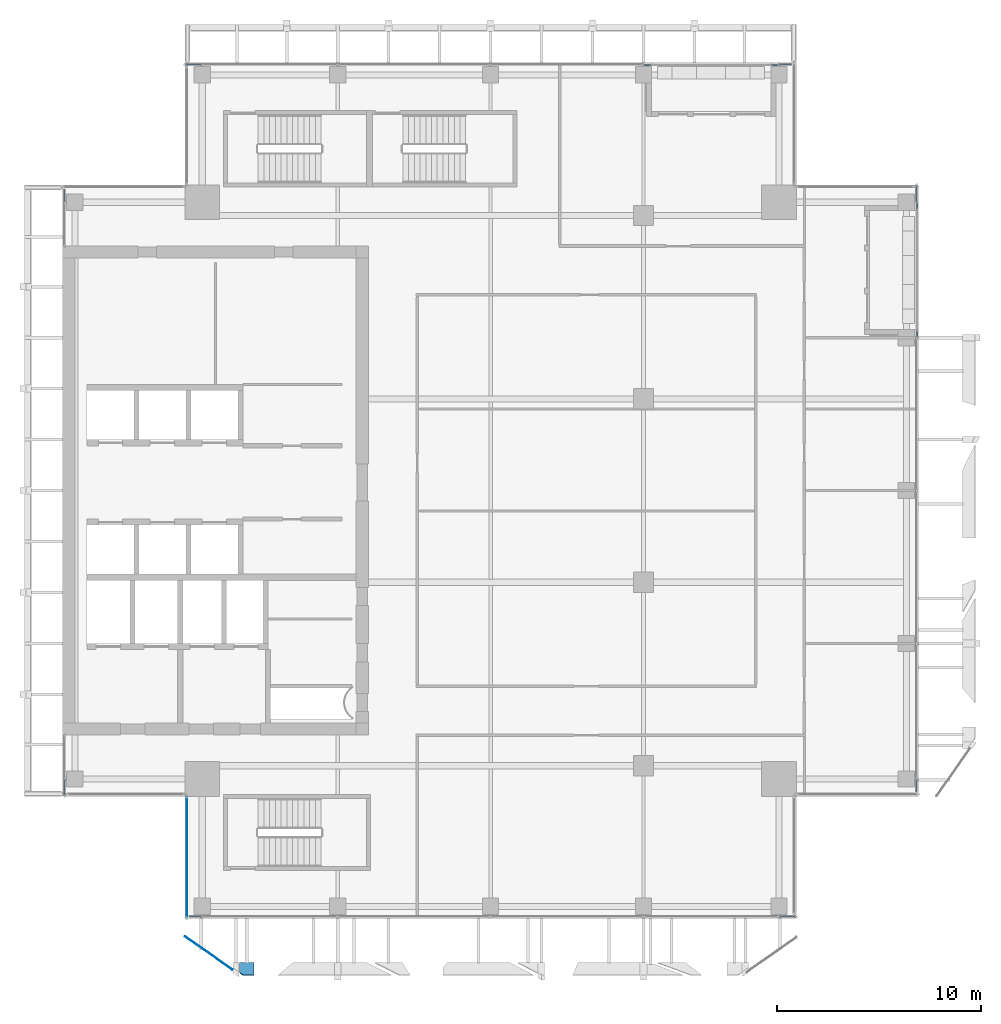
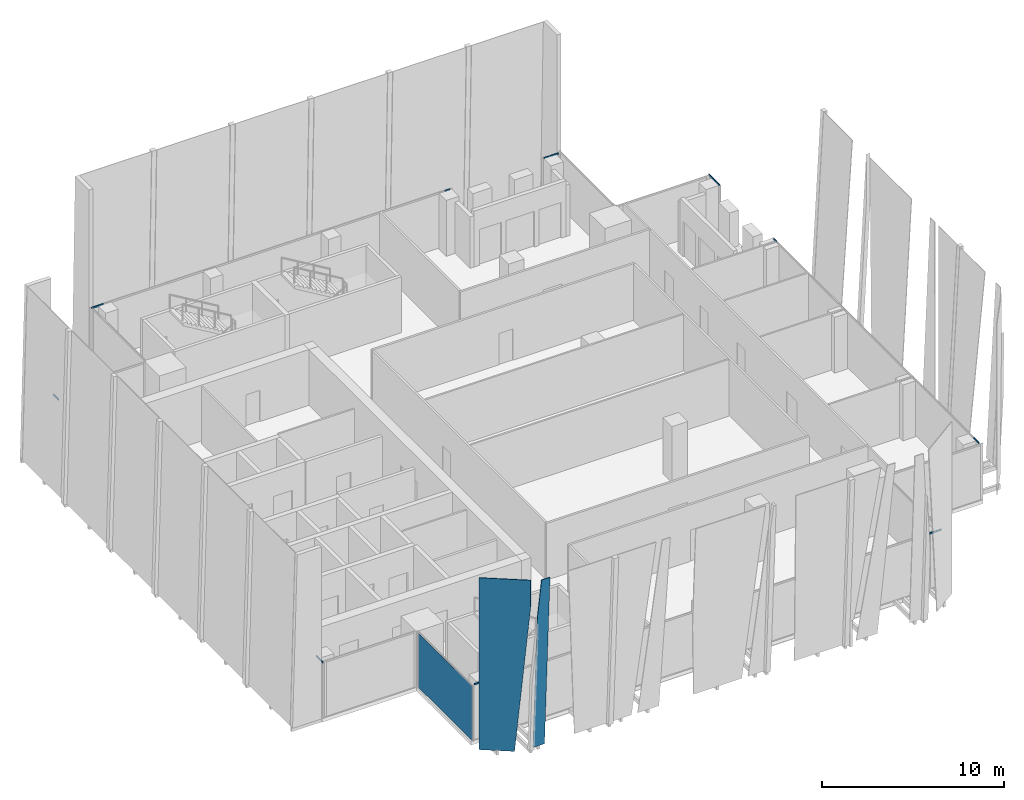
# One storey, part 20 of 32: 12 members, 3 plates, 8 elements without a shape of their own.
"""IFC4 building model written with IfcOpenShell, lengths in metres."""

import ifcopenshell
import ifcopenshell.guid

model = None  # the IFC model being written
_history = None  # IfcOwnerHistory: only IFC2X3 demands one
_inside = {}  # id of a spatial element -> (the spatial element, [elements in it])
_under = {}  # id of a project, library or spatial element -> (it, [spatial elements below it])
_declared = {}  # id of a project -> (the project, [libraries it declares])
_typed = {}  # id of a type object -> (the type object, [elements of that type])
_made_of = {}  # id of a material, layer set ... -> (it, [elements and type objects made of it])


def new_model(schema):
    """Start an empty IFC model of exactly this schema.

    Asked for "IFC4X3", IfcOpenShell would pick the latest addendum, in which some entities
    have other attributes; the version numbers below select the first issue.
    IFC2X3 requires an IfcOwnerHistory on every rooted entity: one is made here for all.
    """
    global model, _history
    if schema == "IFC4X3":
        model = ifcopenshell.file(schema_version=(4, 3, 0, 0))
    else:
        model = ifcopenshell.file(schema=schema)
    _inside.clear()
    _under.clear()
    _declared.clear()
    _typed.clear()
    _made_of.clear()
    _history = None
    if model.schema == "IFC2X3":
        org = make("IfcOrganization", Name="unknown")
        user = make(
            "IfcPersonAndOrganization",
            ThePerson=make("IfcPerson", FamilyName="unknown"),
            TheOrganization=org,
        )
        app = make(
            "IfcApplication",
            ApplicationDeveloper=org,
            Version="unknown",
            ApplicationFullName="unknown",
            ApplicationIdentifier="unknown",
        )
        _history = make(
            "IfcOwnerHistory",
            OwningUser=user,
            OwningApplication=app,
            ChangeAction="ADDED",
            CreationDate=0,
        )
    return model


def make(cls, **values):
    """One entity of the class cls with the attributes given. An attribute that is None is left unset."""
    return model.create_entity(
        cls, **{name: value for name, value in values.items() if value is not None}
    )


def rooted(cls, **values):
    """An entity with a GlobalId (a new one), such as an element, a storey or a relation."""
    return make(cls, GlobalId=ifcopenshell.guid.new(), OwnerHistory=_history, **values)


def si_unit(unit_type, name, prefix=None):
    """IfcSIUnit, for example si_unit("LENGTHUNIT", "METRE", prefix="MILLI")."""
    return make("IfcSIUnit", UnitType=unit_type, Prefix=prefix, Name=name)


def assignment(units):
    """IfcUnitAssignment: the units of a project."""
    return None if units is None else make("IfcUnitAssignment", Units=units)


def point(xyz):
    """IfcCartesianPoint."""
    return None if xyz is None else make("IfcCartesianPoint", Coordinates=xyz)


def direction(xyz):
    """IfcDirection."""
    return None if xyz is None else make("IfcDirection", DirectionRatios=xyz)


def frame(location, z_axis=None, x_axis=None):
    """IfcAxis2Placement3D, a coordinate frame: its origin and axes. An axis left out is left unset."""
    return make(
        "IfcAxis2Placement3D",
        Location=point(location),
        Axis=direction(z_axis),
        RefDirection=direction(x_axis),
    )


def frame_2d(location, x_axis=None):
    """IfcAxis2Placement2D, a coordinate frame in the plane: its origin and x axis."""
    return make(
        "IfcAxis2Placement2D", Location=point(location), RefDirection=direction(x_axis)
    )


def origin():
    """The frame at (0, 0, 0) with its axes left unset."""
    return frame((0.0, 0.0, 0.0))


def origin_2d():
    """The frame at (0, 0) in the plane with its x axis left unset."""
    return frame_2d((0.0, 0.0))


def place(relative_to, where):
    """IfcLocalPlacement: puts the frame where relative to a parent placement (None: the world)."""
    return make(
        "IfcLocalPlacement", PlacementRelTo=relative_to, RelativePlacement=where
    )


def context(
    kind, dimensions, precision=None, world=None, true_north=None, identifier=None
):
    """IfcGeometricRepresentationContext, for example the 3D "Model" context."""
    return make(
        "IfcGeometricRepresentationContext",
        ContextIdentifier=identifier,
        ContextType=kind,
        CoordinateSpaceDimension=dimensions,
        Precision=precision,
        WorldCoordinateSystem=world,
        TrueNorth=true_north,
    )


def subcontext(parent, identifier, kind, view, scale=None):
    """IfcGeometricRepresentationSubContext, for example "Body" below "Model"."""
    return make(
        "IfcGeometricRepresentationSubContext",
        ContextIdentifier=identifier,
        ContextType=kind,
        ParentContext=parent,
        TargetScale=scale,
        TargetView=view,
    )


def project(units=None, contexts=None):
    """IfcProject with its units and contexts."""
    return rooted(
        "IfcProject",
        Name="project",
        RepresentationContexts=contexts,
        UnitsInContext=assignment(units),
    )


def spatial(cls, under=None, at=None, **own):
    """A site, building, storey or space (cls), placed at a placement, below another one or the project."""
    s = rooted(cls, ObjectPlacement=at, **own)
    if under is not None:
        _under.setdefault(under.id(), (under, []))[1].append(s)
    return s


def polyline(points):
    """IfcPolyline through the points."""
    return make("IfcPolyline", Points=[point(p) for p in points])


def profile(cls, at=None, kind="AREA", **sizes):
    """A parametric profile (cls). Its sizes go by their IFC names, for example OverallWidth=200.0."""
    return make(cls, ProfileType=kind, Position=at, **sizes)


def rectangle(**sizes):
    """IfcRectangleProfileDef."""
    return profile("IfcRectangleProfileDef", **sizes)


def hollow_rectangle(**sizes):
    """IfcRectangleHollowProfileDef."""
    return profile("IfcRectangleHollowProfileDef", **sizes)


def outline(outer, holes=None, kind="AREA"):
    """IfcArbitraryClosedProfileDef: a profile drawn as a closed curve; with holes, ...WithVoids."""
    if holes is None:
        return make("IfcArbitraryClosedProfileDef", ProfileType=kind, OuterCurve=outer)
    return make(
        "IfcArbitraryProfileDefWithVoids",
        ProfileType=kind,
        OuterCurve=outer,
        InnerCurves=holes,
    )


def extrude(swept, where, along, depth):
    """IfcExtrudedAreaSolid: the profile swept, set in the frame where, extruded along a direction by depth."""
    return make(
        "IfcExtrudedAreaSolid",
        SweptArea=swept,
        Position=where,
        ExtrudedDirection=direction(along),
        Depth=depth,
    )


def shape(context_of_items, identifier, shape_type, items):
    """IfcShapeRepresentation: the items that make up one representation, for example the "Body"."""
    return make(
        "IfcShapeRepresentation",
        ContextOfItems=context_of_items,
        RepresentationIdentifier=identifier,
        RepresentationType=shape_type,
        Items=items,
    )


def source(mapping_origin, context_of_items, identifier, shape_type, items):
    """IfcRepresentationMap: a shape defined once, which mapped items show again and again."""
    return make(
        "IfcRepresentationMap",
        MappingOrigin=mapping_origin,
        MappedRepresentation=shape(context_of_items, identifier, shape_type, items),
    )


def transform(
    local_origin,
    x_axis=None,
    y_axis=None,
    z_axis=None,
    scale=None,
    scale2=None,
    scale3=None,
    uniform=True,
):
    """IfcCartesianTransformationOperator3D, or its non-uniform kind. x_axis, y_axis, z_axis: its Axis1, 2, 3."""
    if uniform:
        return make(
            "IfcCartesianTransformationOperator3D",
            Axis1=direction(x_axis),
            Axis2=direction(y_axis),
            LocalOrigin=point(local_origin),
            Scale=scale,
            Axis3=direction(z_axis),
        )
    return make(
        "IfcCartesianTransformationOperator3DnonUniform",
        Axis1=direction(x_axis),
        Axis2=direction(y_axis),
        LocalOrigin=point(local_origin),
        Scale=scale,
        Axis3=direction(z_axis),
        Scale2=scale2,
        Scale3=scale3,
    )


def mapped(mapping_source, mapping_target):
    """IfcMappedItem: shows the shape of a source again, moved by a transform."""
    return make(
        "IfcMappedItem", MappingSource=mapping_source, MappingTarget=mapping_target
    )


def material(Name=None, Category=None):
    """IfcMaterial."""
    return make("IfcMaterial", Name=Name, Category=Category)


def layer(
    of_material, thickness, ventilated=None, Name=None, Category=None, Priority=None
):
    """IfcMaterialLayer: one layer of a wall or slab, of a material (None: an air gap)."""
    return make(
        "IfcMaterialLayer",
        Material=of_material,
        LayerThickness=thickness,
        IsVentilated=ventilated,
        Name=Name,
        Category=Category,
        Priority=Priority,
    )


def layer_set(layers, Name=None):
    """IfcMaterialLayerSet."""
    return make("IfcMaterialLayerSet", MaterialLayers=layers, LayerSetName=Name)


def material_profile(
    of_material, cross_section, Name=None, Category=None, Priority=None
):
    """IfcMaterialProfile: a cross section and its material."""
    return make(
        "IfcMaterialProfile",
        Name=Name,
        Material=of_material,
        Profile=cross_section,
        Priority=Priority,
        Category=Category,
    )


def profile_set(profiles, Name=None, composite=None):
    """IfcMaterialProfileSet."""
    return make(
        "IfcMaterialProfileSet",
        Name=Name,
        MaterialProfiles=profiles,
        CompositeProfile=composite,
    )


def made_of(thing, what):
    """Note that an element or type object is made of a material, layer set ...; save() writes the relation."""
    if what is not None:
        _made_of.setdefault(what.id(), (what, []))[1].append(thing)
    return thing


def type_object(cls, material=None, **own):
    """A type object (cls), such as IfcWallType, which elements share."""
    return made_of(rooted(cls, **own), material)


def element(
    cls,
    number,
    at=None,
    inside=None,
    cuts=None,
    type_object=None,
    material=None,
    context=None,
    identifier="Body",
    shape_type=None,
    held_by="IfcProductDefinitionShape",
    body=None,
    shapes=None,
    **own,
):
    """One element of the class cls, such as IfcWall. Its Tag is "e" and its number.

    at: its placement. inside: the storey or other place that contains it. cuts: it is an
    opening in that element (IfcRelVoidsElement). A single representation is given by context,
    identifier, shape_type and body (its items); several are given by shapes. held_by: the class
    of the entity that holds the representations. save() writes the other relations.
    """
    e = rooted(cls, Tag="e%d" % number, ObjectPlacement=at, **own)
    if body is not None:
        shapes = [shape(context, identifier, shape_type, body)]
    if shapes is not None:
        e.Representation = make(held_by, Representations=shapes)
    if inside is not None:
        _inside.setdefault(inside.id(), (inside, []))[1].append(e)
    if cuts is not None:
        rooted(
            "IfcRelVoidsElement", RelatingBuildingElement=cuts, RelatedOpeningElement=e
        )
    if type_object is not None:
        _typed.setdefault(type_object.id(), (type_object, []))[1].append(e)
    return made_of(e, material)


def aggregate(whole, parts):
    """IfcRelAggregates: a whole, such as a stair, and the parts it consists of."""
    return rooted("IfcRelAggregates", RelatingObject=whole, RelatedObjects=parts)


def save(model, path):
    """Write the relations noted so far, then the file.

    IfcRelAggregates (storeys below a building ...), IfcRelContainedInSpatialStructure (elements
    in a storey), IfcRelDefinesByType, IfcRelAssociatesMaterial and IfcRelDeclares: one each for
    every whole, place, type object, material and project.
    """
    for whole, parts in _under.values():
        aggregate(whole, parts)
    for where, things in _inside.values():
        rooted(
            "IfcRelContainedInSpatialStructure",
            RelatedElements=things,
            RelatingStructure=where,
        )
    for kind, things in _typed.values():
        rooted("IfcRelDefinesByType", RelatedObjects=things, RelatingType=kind)
    for what, things in _made_of.values():
        rooted("IfcRelAssociatesMaterial", RelatedObjects=things, RelatingMaterial=what)
    for by, libraries in _declared.values():
        rooted("IfcRelDeclares", RelatingContext=by, RelatedDefinitions=libraries)
    model.write(path)


model = new_model("IFC4")

# Units and contexts
model_context = context("Model", 3, precision=1e-05, world=origin(), true_north=direction((0.0, 1.0)))
body_context = subcontext(model_context, "Body", "Model", "MODEL_VIEW")
ifc_project = project(units=[si_unit("LENGTHUNIT", "METRE"), si_unit("AREAUNIT", "SQUARE_METRE"), si_unit("VOLUMEUNIT", "CUBIC_METRE"), si_unit("PLANEANGLEUNIT", "RADIAN"), si_unit("MASSUNIT", "GRAM", prefix="KILO")], contexts=[model_context])

# Site, building, storey
site_placement = place(None, origin())
site = spatial("IfcSite", under=ifc_project, at=site_placement, CompositionType="ELEMENT")
building_placement = place(site_placement, origin())
building = spatial("IfcBuilding", under=site, at=building_placement, Name="Khomas Fold Tower", CompositionType="ELEMENT")
storey_placement = place(building_placement, frame((0.0, 0.0, 306.199951171875)))
storey = spatial("IfcBuildingStorey", under=building, at=storey_placement, Name="L69", CompositionType="ELEMENT", Elevation=306.199951171875)

# Curtain wall, member
ifc_material_1 = material(Name="Aluminium framed double glazing", Category="aluminium")
curtain_wall_type = type_object("IfcCurtainWallType", Name="SK-Unitised clear-glass wall, upper floors CW3", PredefinedType="NOTDEFINED", material=ifc_material_1)
curtain_wall_1_placement = place(storey_placement, origin())
curtain_wall_1 = element("IfcCurtainWall", 1, at=curtain_wall_1_placement, inside=storey, type_object=curtain_wall_type, Name="CW3 run L69 00-0", PredefinedType="NOTDEFINED")
ifc_material_2 = material(Name="Aluminium", Category="aluminium")
ifc_material_profile = material_profile(ifc_material_2, hollow_rectangle(XDim=0.050048828125, YDim=0.10009765625, WallThickness=0.00390625, at=origin_2d()), Name="SK-Unitised clear-glass wall, upper floors transom CW3-T")
ifc_profile_set = profile_set([ifc_material_profile], Name="Aluminium")
member_type = type_object("IfcMemberType", Name="SK-Unitised clear-glass wall, upper floors transom CW3-T", PredefinedType="USERDEFINED", material=ifc_profile_set)
shared_shape_1 = source(origin(), body_context, "Body", "SweptSolid", [
    extrude(hollow_rectangle(XDim=0.050048828125, YDim=0.10009765625, WallThickness=0.00390625, at=origin_2d()), origin(), (0.0, 0.0, 1.0), 0.574951171875),
])
member_1_placement = place(storey_placement, frame((12.25, 6.10009765625, 3.699951171875), z_axis=(1.0, 0.0, 0.0), x_axis=(0.0, 1.0, 0.0)))
member_1 = element("IfcMember", 2, at=member_1_placement, type_object=member_type, Name="CW3 transom 1", ObjectType="TRANSOM", PredefinedType="USERDEFINED", context=body_context, shape_type="MappedRepresentation", body=[
    mapped(shared_shape_1, transform((0.0, 0.0, 0.0))),
])

curtain_wall_2_placement = place(storey_placement, origin())
curtain_wall_2 = element("IfcCurtainWall", 3, at=curtain_wall_2_placement, inside=storey, type_object=curtain_wall_type, Name="CW3 run L69 03-0", PredefinedType="NOTDEFINED")
member_2_placement = place(storey_placement, frame((47.89990234375, 12.25, 3.699951171875), z_axis=(0.0, 1.0, 0.0), x_axis=(-1.0, 0.0, 0.0)))
member_2 = element("IfcMember", 4, at=member_2_placement, type_object=member_type, Name="CW3 transom 1", ObjectType="TRANSOM", PredefinedType="USERDEFINED", context=body_context, shape_type="MappedRepresentation", body=[
    mapped(shared_shape_1, transform((0.0, 0.0, 0.0))),
])

curtain_wall_3_placement = place(storey_placement, origin())
curtain_wall_3 = element("IfcCurtainWall", 5, at=curtain_wall_3_placement, inside=storey, type_object=curtain_wall_type, Name="CW3 run L69 06-0", PredefinedType="NOTDEFINED")
member_3_placement = place(storey_placement, frame((41.75, 47.89990234375, 3.699951171875), z_axis=(-1.0, 0.0, 0.0), x_axis=(0.0, -1.0, 0.0)))
member_3 = element("IfcMember", 6, at=member_3_placement, type_object=member_type, Name="CW3 transom 1", ObjectType="TRANSOM", PredefinedType="USERDEFINED", context=body_context, shape_type="MappedRepresentation", body=[
    mapped(shared_shape_1, transform((0.0, 0.0, 0.0))),
])

curtain_wall_4_placement = place(storey_placement, origin())
curtain_wall_4 = element("IfcCurtainWall", 7, at=curtain_wall_4_placement, inside=storey, type_object=curtain_wall_type, Name="CW3 run L69 09-0", PredefinedType="NOTDEFINED")
member_4_placement = place(storey_placement, frame((6.10009765625, 41.75, 3.699951171875), z_axis=(0.0, -1.0, 0.0), x_axis=(1.0, 0.0, 0.0)))
member_4 = element("IfcMember", 8, at=member_4_placement, type_object=member_type, Name="CW3 transom 1", ObjectType="TRANSOM", PredefinedType="USERDEFINED", context=body_context, shape_type="MappedRepresentation", body=[
    mapped(shared_shape_1, transform((0.0, 0.0, 0.0))),
])
aggregate(curtain_wall_4, [member_4])

# Member
shared_shape_2 = source(origin(), body_context, "Body", "SweptSolid", [
    extrude(hollow_rectangle(XDim=0.050048828125, YDim=0.10009765625, WallThickness=0.00390625, at=origin_2d()), origin(), (0.0, 0.0, 1.0), 0.77490234375),
])
member_5_placement = place(storey_placement, frame((41.175048828125, 6.10009765625, 3.699951171875), z_axis=(1.0, 0.0, 0.0), x_axis=(0.0, 1.0, 0.0)))
member_5 = element("IfcMember", 9, at=member_5_placement, type_object=member_type, Name="CW3 transom 6", ObjectType="TRANSOM", PredefinedType="USERDEFINED", context=body_context, shape_type="MappedRepresentation", body=[
    mapped(shared_shape_2, transform((0.0, 0.0, 0.0))),
])

aggregate(curtain_wall_1, [member_1, member_5])

# Curtain wall, member
curtain_wall_5_placement = place(storey_placement, origin())
curtain_wall_5 = element("IfcCurtainWall", 10, at=curtain_wall_5_placement, inside=storey, type_object=curtain_wall_type, Name="CW3 run L69 03-1", PredefinedType="NOTDEFINED")
member_6_placement = place(storey_placement, frame((47.89990234375, 41.175048828125, 3.699951171875), z_axis=(0.0, 1.0, 0.0), x_axis=(-1.0, 0.0, 0.0)))
member_6 = element("IfcMember", 11, at=member_6_placement, type_object=member_type, Name="CW3 transom 2", ObjectType="TRANSOM", PredefinedType="USERDEFINED", context=body_context, shape_type="MappedRepresentation", body=[
    mapped(shared_shape_2, transform((0.0, 0.0, 0.0))),
])

curtain_wall_6_placement = place(storey_placement, origin())
curtain_wall_6 = element("IfcCurtainWall", 12, at=curtain_wall_6_placement, inside=storey, type_object=curtain_wall_type, Name="CW3 run L69 06-1", PredefinedType="NOTDEFINED")
member_7_placement = place(storey_placement, frame((12.824951171875, 47.89990234375, 3.699951171875), z_axis=(-1.0, 0.0, 0.0), x_axis=(0.0, -1.0, 0.0)))
member_7 = element("IfcMember", 13, at=member_7_placement, type_object=member_type, Name="CW3 transom 5", ObjectType="TRANSOM", PredefinedType="USERDEFINED", context=body_context, shape_type="MappedRepresentation", body=[
    mapped(shared_shape_2, transform((0.0, 0.0, 0.0))),
])

curtain_wall_7_placement = place(storey_placement, origin())
curtain_wall_7 = element("IfcCurtainWall", 14, at=curtain_wall_7_placement, inside=storey, type_object=curtain_wall_type, Name="CW3 run L69 09-1", PredefinedType="NOTDEFINED")
member_8_placement = place(storey_placement, frame((6.10009765625, 12.824951171875, 3.699951171875), z_axis=(0.0, -1.0, 0.0), x_axis=(1.0, 0.0, 0.0)))
member_8 = element("IfcMember", 15, at=member_8_placement, type_object=member_type, Name="CW3 transom 2", ObjectType="TRANSOM", PredefinedType="USERDEFINED", context=body_context, shape_type="MappedRepresentation", body=[
    mapped(shared_shape_2, transform((0.0, 0.0, 0.0))),
])
aggregate(curtain_wall_7, [member_8])

# Member
shared_shape_3 = source(origin(), body_context, "Body", "SweptSolid", [
    extrude(hollow_rectangle(XDim=0.050048828125, YDim=0.10009765625, WallThickness=0.00390625, at=origin_2d()), origin(), (0.0, 0.0, 1.0), 0.3251953125),
])
member_9_placement = place(storey_placement, frame((47.89990234375, 34.52490234375, 3.699951171875), z_axis=(0.0, 1.0, 0.0), x_axis=(-1.0, 0.0, 0.0)))
member_9 = element("IfcMember", 16, at=member_9_placement, type_object=member_type, Name="CW3 transom 5", ObjectType="TRANSOM", PredefinedType="USERDEFINED", context=body_context, shape_type="MappedRepresentation", body=[
    mapped(shared_shape_3, transform((0.0, 0.0, 0.0))),
])

aggregate(curtain_wall_2, [member_2, member_9])

member_10_placement = place(storey_placement, frame((34.85009765625, 47.89990234375, 3.699951171875), z_axis=(-1.0, 0.0, 0.0), x_axis=(0.0, -1.0, 0.0)))
member_10 = element("IfcMember", 17, at=member_10_placement, type_object=member_type, Name="CW3 transom 1", ObjectType="TRANSOM", PredefinedType="USERDEFINED", context=body_context, shape_type="MappedRepresentation", body=[
    mapped(shared_shape_3, transform((0.0, 0.0, 0.0))),
])

aggregate(curtain_wall_6, [member_10, member_7])

shared_shape_4 = source(origin(), body_context, "Body", "SweptSolid", [
    extrude(hollow_rectangle(XDim=0.050048828125, YDim=0.10009765625, WallThickness=0.00390625, at=origin_2d()), origin(), (0.0, 0.0, 1.0), 0.324951171875),
])
member_11_placement = place(storey_placement, frame((47.89990234375, 40.800048828125, 3.699951171875), z_axis=(0.0, 1.0, 0.0), x_axis=(-1.0, 0.0, 0.0)))
member_11 = element("IfcMember", 18, at=member_11_placement, type_object=member_type, Name="CW3 transom 1", ObjectType="TRANSOM", PredefinedType="USERDEFINED", context=body_context, shape_type="MappedRepresentation", body=[
    mapped(shared_shape_4, transform((0.0, 0.0, 0.0))),
])

aggregate(curtain_wall_5, [member_11, member_6])

member_12_placement = place(storey_placement, frame((41.125, 47.89990234375, 3.699951171875), z_axis=(-1.0, 0.0, 0.0), x_axis=(0.0, -1.0, 0.0)))
member_12 = element("IfcMember", 19, at=member_12_placement, type_object=member_type, Name="CW3 transom 2", ObjectType="TRANSOM", PredefinedType="USERDEFINED", context=body_context, shape_type="MappedRepresentation", body=[
    mapped(shared_shape_4, transform((0.0, 0.0, 0.0))),
])

aggregate(curtain_wall_3, [member_3, member_12])

# Plates
ifc_material_3 = material(Name="Clear laminated glass", Category="glass")
ifc_layer_1 = layer(ifc_material_3, 0.0400390625)
ifc_layer_set_1 = layer_set([ifc_layer_1], Name="Clear laminated glass")
plate_type_1 = type_object("IfcPlateType", Name="SK-Clear laminated glass leaf", PredefinedType="SHEET", material=ifc_layer_set_1)
plate_1_placement = place(storey_placement, frame((15.39990234375, 3.84228515625, 0.0), z_axis=(9.0146168e-05, 0.99862890442, 0.052347904736), x_axis=(-0.999999995937, 9.002257e-05, 4.718963e-06)))
element("IfcPlate", 20, at=plate_1_placement, inside=storey, type_object=plate_type_1, Name="OUTER SKIN glass L69 SG099-2", PredefinedType="SHEET", context=body_context, shape_type="SweptSolid", body=[
    extrude(outline(polyline([(0.0, 0.0), (0.7299804657839684, -6.183175078833882e-22), (0.7299804760490173, 8.938030146442532), (0.5332031212344294, 11.565907674669704), (-1.5990779674184062e-09, 11.565907674669704), (0.0, 0.0)])), origin(), (0.0, 0.0, -1.0), 0.0400390625),
])
plate_2_placement = place(storey_placement, frame((13.599365234375, 3.982421875, 0.0), z_axis=(-0.572793169731, -0.819699935765, 3.988578e-06), x_axis=(-0.819699935772, 0.572793169735, 1.09e-10)))
element("IfcPlate", 21, at=plate_2_placement, inside=storey, type_object=plate_type_1, Name="OUTER SKIN glass L69 SG098-3", PredefinedType="SHEET", context=body_context, shape_type="SweptSolid", body=[
    extrude(outline(polyline([(0.0, 0.0), (1.9511966333716904, 0.0), (1.9511966346297385, -11.550048828033127), (-0.891375102668233, -11.55004882849771), (-0.891375102865281, -9.7409667972621), (0.0, 0.0)])), origin(), (0.0, 0.0, -1.0), 0.0400390625),
])

# Curtain wall, plate
curtain_wall_8_placement = place(storey_placement, origin())
curtain_wall_8 = element("IfcCurtainWall", 22, at=curtain_wall_8_placement, inside=storey, type_object=curtain_wall_type, Name="CW3 corner return L69 11", PredefinedType="NOTDEFINED")
ifc_material_4 = material(Name="Clear double glazed unit")
ifc_layer_2 = layer(ifc_material_4, 0.028076171875)
ifc_layer_set_2 = layer_set([ifc_layer_2], Name="Clear double glazed unit")
plate_type_2 = type_object("IfcPlateType", Name="SK-Unitised clear-glass wall, upper floors glass panel CW3-P", PredefinedType="CURTAIN_PANEL", material=ifc_layer_set_2)
shared_shape_5 = source(origin(), body_context, "Body", "SweptSolid", [
    extrude(rectangle(XDim=5.89990234375, YDim=0.028076171875, at=origin_2d()), origin(), (0.0, 0.0, 1.0), 3.64990234375),
])
plate_3_placement = place(storey_placement, frame((12.10009765625, 9.0, 0.0), z_axis=(0.0, 0.0, 1.0), x_axis=(0.0, -1.0, 0.0)))
plate_3 = element("IfcPlate", 23, at=plate_3_placement, type_object=plate_type_2, Name="CW3 glass panel 1", PredefinedType="CURTAIN_PANEL", context=body_context, shape_type="MappedRepresentation", body=[
    mapped(shared_shape_5, transform((0.0, 0.0, 0.0))),
])
aggregate(curtain_wall_8, [plate_3])

save(model, "model.ifc")
